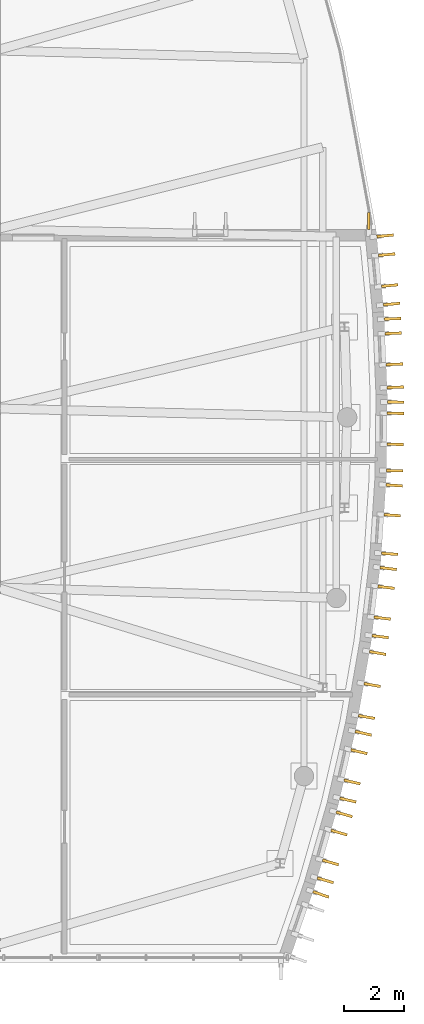
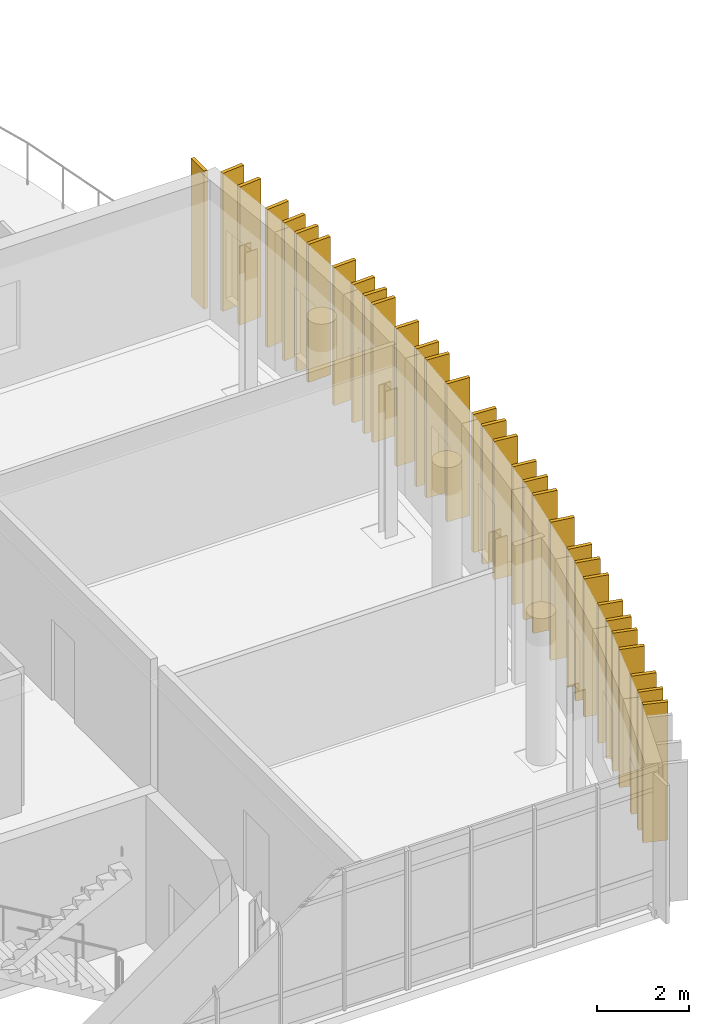
# One storey, part 40 of 40: 32 coverings.
"""IFC4 building model written with IfcOpenShell, lengths in metres."""

from ifc_helpers import new_model, si_unit, direction, frame, origin, origin_2d, place, context, subcontext, project, spatial, rectangle, extrude, material, layer, layer_set, type_object, element, save


model = new_model("IFC4")

# Units and contexts
model_context = context("Model", 3, precision=1e-05, world=origin(), true_north=direction((0.0, 1.0)))
body_context = subcontext(model_context, "Body", "Model", "MODEL_VIEW")
ifc_project = project(units=[si_unit("LENGTHUNIT", "METRE"), si_unit("AREAUNIT", "SQUARE_METRE"), si_unit("VOLUMEUNIT", "CUBIC_METRE"), si_unit("PLANEANGLEUNIT", "RADIAN"), si_unit("MASSUNIT", "GRAM", prefix="KILO")], contexts=[model_context])

# Site, building, storey
site_placement = place(None, origin())
site = spatial("IfcSite", under=ifc_project, at=site_placement, CompositionType="ELEMENT")
building_placement = place(site_placement, origin())
building = spatial("IfcBuilding", under=site, at=building_placement, Name="Cymarion Research Institute", CompositionType="ELEMENT")
storey_placement = place(building_placement, frame((0.0, 0.0, 26.699951171875)))
storey = spatial("IfcBuildingStorey", under=building, at=storey_placement, Name="L06", CompositionType="ELEMENT", Elevation=26.699951171875)

# Coverings
ifc_material = material(Name="Precast concrete C45/55 architectural white", Category="concrete")
ifc_layer = layer(ifc_material, 0.090087890625)
ifc_layer_set = layer_set([ifc_layer], Name="Precast concrete C45/55 architectural white")
covering_type = type_object("IfcCoveringType", Name="ARCHITECTURAL WHITE PRECAST CONCRETE VERTICAL FIN FIN1 560MM", PredefinedType="CLADDING", material=ifc_layer_set)
for number, where, z_axis, x_axis, name in (
    (1, (165.496337890625, 7.20751953125, 0.01025390625), (0.0, 0.0, 1.0), (0.945120113509, -0.326723080054, 0.0), "L06 V1 white precast vertical fin FIN1 #608"),
    (2, (165.6455078125, 7.679443359375, 0.01025390625), (0.0, 0.0, 1.0), (0.961213573504, -0.275805123434, 0.0), "L06 V1 white precast vertical fin FIN1 #609"),
    (3, (165.817626953125, 8.279296875, 0.01025390625), (0.0, 0.0, 1.0), (0.961213573504, -0.275805123434, 0.0), "L06 V1 white precast vertical fin FIN1 #610"),
    (4, (166.1044921875, 9.279052734375, 0.01025390625), (0.0, 0.0, 1.0), (0.961213573504, -0.275805123434, 0.0), "L06 V1 white precast vertical fin FIN1 #611"),
    (5, (166.27978515625, 9.8896484375, 0.01025390625), (0.0, 0.0, 1.0), (0.961213573504, -0.275805123434, 0.0), "L06 V1 white precast vertical fin FIN1 #612"),
    (6, (166.4033203125, 10.368896484375, 0.01025390625), (0.0, 0.0, 1.0), (0.974566000575, -0.224100670509, 0.0), "L06 V1 white precast vertical fin FIN1 #613"),
    (7, (166.543212890625, 10.976806640625, 0.01025390625), (0.0, 0.0, 1.0), (0.974566000575, -0.224100670509, 0.0), "L06 V1 white precast vertical fin FIN1 #614"),
    (8, (166.776123046875, 11.990478515625, 0.01025390625), (0.0, 0.0, 1.0), (0.974566000575, -0.224100670509, 0.0), "L06 V1 white precast vertical fin FIN1 #615"),
    (9, (166.918701171875, 12.609619140625, 0.01025390625), (0.0, 0.0, 1.0), (0.974566000575, -0.224100670509, 0.0), "L06 V1 white precast vertical fin FIN1 #616"),
    (10, (167.02685546875, 13.15380859375, 0.01025390625), (0.0, 0.0, 1.0), (0.985139318439, -0.171757163649, 0.0), "L06 V1 white precast vertical fin FIN1 #617"),
    (11, (167.2138671875, 14.22705078125, 0.01025390625), (0.0, 0.0, 1.0), (0.985139318439, -0.171757163649, 0.0), "L06 V1 white precast vertical fin FIN1 #618"),
    (12, (167.40087890625, 15.30078125, 0.01025390625), (0.0, 0.0, 1.0), (0.985139318439, -0.171757163649, 0.0), "L06 V1 white precast vertical fin FIN1 #619"),
    (13, (167.483154296875, 15.849365234375, 0.01025390625), (0.0, 0.0, 1.0), (0.992924116831, -0.118750571435, 0.0), "L06 V1 white precast vertical fin FIN1 #620"),
    (14, (167.557373046875, 16.468994140625, 0.01025390625), (0.0, 0.0, 1.0), (0.992924116831, -0.118750571435, 0.0), "L06 V1 white precast vertical fin FIN1 #621"),
    (15, (167.680908203125, 17.501708984375, 0.01025390625), (0.0, 0.0, 1.0), (0.992924116831, -0.118750571435, 0.0), "L06 V1 white precast vertical fin FIN1 #622"),
    (16, (167.75634765625, 18.13232421875, 0.01025390625), (0.0, 0.0, 1.0), (0.992924116831, -0.118750571435, 0.0), "L06 V1 white precast vertical fin FIN1 #623"),
    (17, (167.802001953125, 18.625, 0.01025390625), (0.0, 0.0, 1.0), (0.997847493041, -0.06557728747, 0.0), "L06 V1 white precast vertical fin FIN1 #624"),
    (18, (167.88720703125, 19.919189453125, 0.01025390625), (0.0, 0.0, 1.0), (0.997847493041, -0.06557728747, 0.0), "L06 V1 white precast vertical fin FIN1 #625"),
    (19, (167.952880859375, 20.91943359375, 0.01025390625), (0.0, 0.0, 1.0), (0.997847493041, -0.06557728747, 0.0), "L06 V1 white precast vertical fin FIN1 #626"),
    (20, (167.971923828125, 21.413818359375, 0.01025390625), (0.0, 0.0, 1.0), (0.99992536966, -0.012217000835, 0.0), "L06 V1 white precast vertical fin FIN1 #627"),
    (21, (167.982666015625, 22.2939453125, 0.01025390625), (0.0, 0.0, 1.0), (0.99992536966, -0.012217000835, 0.0), "L06 V1 white precast vertical fin FIN1 #628"),
    (22, (167.995361328125, 23.333740234375, 0.01025390625), (0.0, 0.0, 1.0), (0.99992536966, -0.012217000835, 0.0), "L06 V1 white precast vertical fin FIN1 #629"),
    (23, (168.0, 23.712890625, 0.01025390625), (0.0, 0.0, 1.0), (0.99992536966, -0.012217000835, 0.0), "L06 V1 white precast vertical fin FIN1 #630"),
    (24, (167.992919921875, 24.207763671875, 0.01025390625), (0.0, 0.0, 1.0), (0.999144619181, 0.041352508522, 0.0), "L06 V1 white precast vertical fin FIN1 #631"),
    (25, (167.9609375, 24.978271484375, 0.01025390625), (0.0, 0.0, 1.0), (0.999144619181, 0.041352508522, 0.0), "L06 V1 white precast vertical fin FIN1 #632"),
    (26, (167.918212890625, 26.017333984375, 0.01025390625), (0.0, 0.0, 1.0), (0.999144619181, 0.041352508522, 0.0), "L06 V1 white precast vertical fin FIN1 #633"),
    (27, (167.89794921875, 26.505126953125, 0.01025390625), (0.0, 0.0, 1.0), (0.999144619181, 0.041352508522, 0.0), "L06 V1 white precast vertical fin FIN1 #634"),
    (28, (167.8642578125, 26.998779296875, 0.01025390625), (0.0, 0.0, 1.0), (0.995512553138, 0.09462957542, 0.0), "L06 V1 white precast vertical fin FIN1 #635"),
    (29, (167.805419921875, 27.6201171875, 0.01025390625), (0.0, 0.0, 1.0), (0.995512553138, 0.09462957542, 0.0), "L06 V1 white precast vertical fin FIN1 #636"),
    (30, (167.70703125, 28.6552734375, 0.01025390625), (0.0, 0.0, 1.0), (0.995512553138, 0.09462957542, 0.0), "L06 V1 white precast vertical fin FIN1 #637"),
    (31, (167.64697265625, 29.287841796875, 0.01025390625), (0.0, 0.0, 1.0), (0.995512553138, 0.09462957542, 0.0), "L06 V1 white precast vertical fin FIN1 #638"),
    (32, (167.103515625, 29.781982421875, 0.01025390625), (0.0, 0.0, 1.0), (0.0, 1.0, 0.0), "L06 V1 white precast vertical fin FIN1 #639"),
):
    element("IfcCovering", number, at=place(storey_placement, frame(where, z_axis=z_axis, x_axis=x_axis)), inside=storey, type_object=covering_type, Name=name, PredefinedType="CLADDING", context=body_context, shape_type="SweptSolid", body=[
        extrude(rectangle(XDim=0.56005859375, YDim=0.090087890625, at=origin_2d()), origin(), (0.0, 0.0, 1.0), 3.659912109375),
    ])

save(model, "model.ifc")
